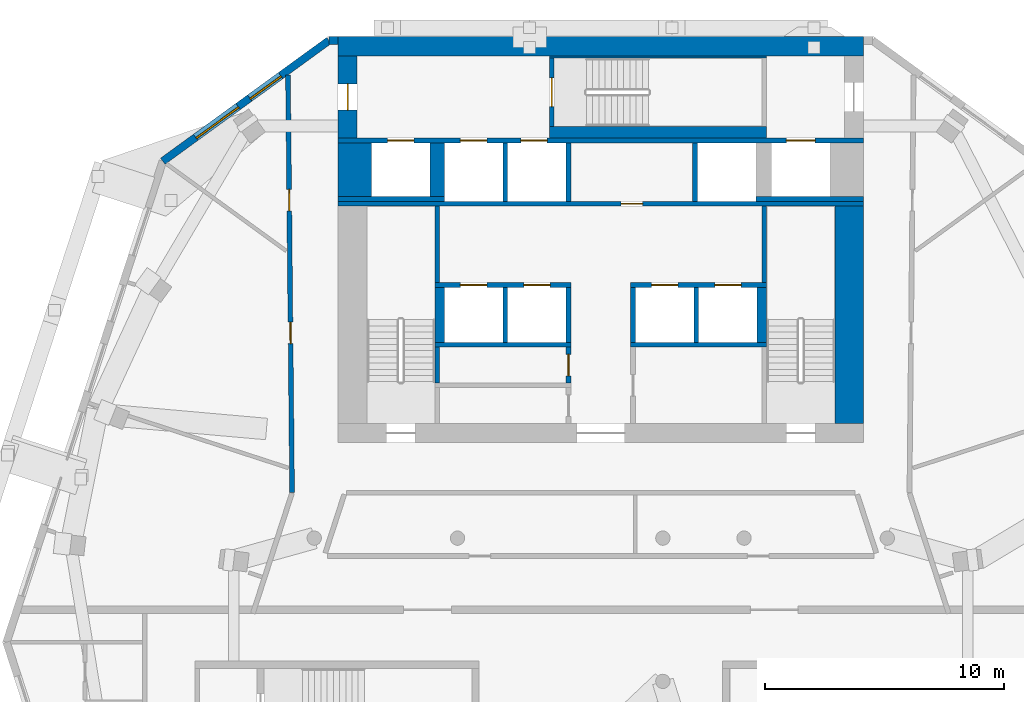
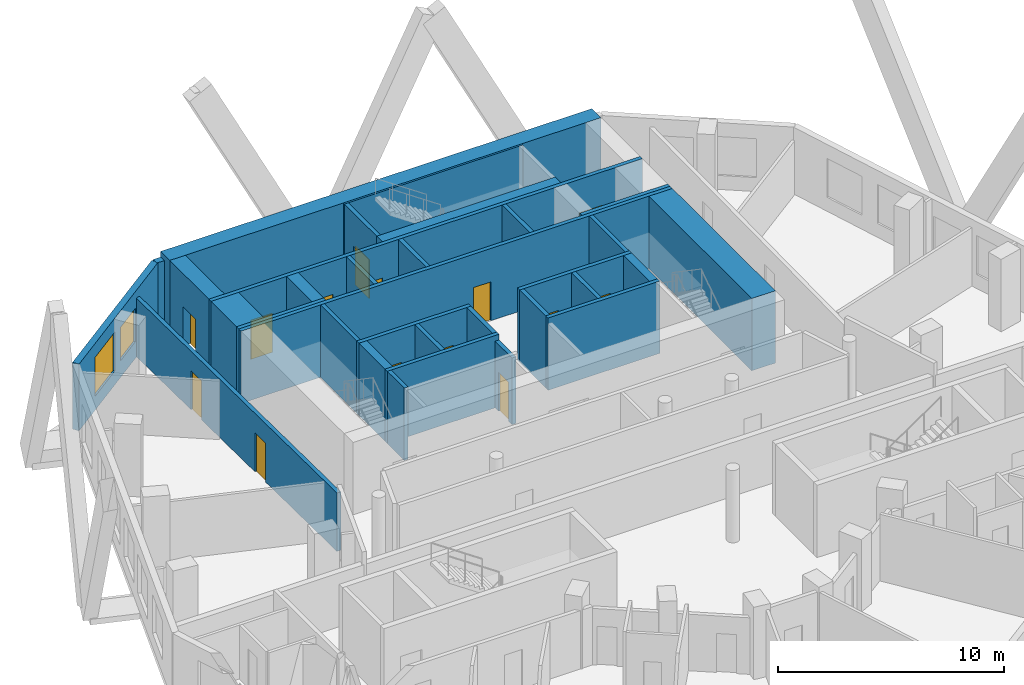
# One storey, part 7 of 10: 32 walls, 14 doors, 2 windows, 16 openings.
"""IFC4 building model written with IfcOpenShell, lengths in metres."""

from ifc_helpers import new_model, si_unit, direction, frame, frame_2d, origin, place, context, subcontext, project, spatial, rectangle, extrude, material, layer, layer_set, type_object, element, fill, save


model = new_model("IFC4")

# Units and contexts
model_context = context("Model", 3, precision=1e-05, world=origin(), true_north=direction((0.0, 1.0)))
body_context = subcontext(model_context, "Body", "Model", "MODEL_VIEW")
ifc_project = project(units=[si_unit("LENGTHUNIT", "METRE"), si_unit("AREAUNIT", "SQUARE_METRE"), si_unit("VOLUMEUNIT", "CUBIC_METRE"), si_unit("PLANEANGLEUNIT", "RADIAN"), si_unit("MASSUNIT", "GRAM", prefix="KILO")], contexts=[model_context])

# Site, building, storey
site_placement = place(None, origin())
site = spatial("IfcSite", under=ifc_project, at=site_placement, CompositionType="ELEMENT")
building_placement = place(site_placement, origin())
building = spatial("IfcBuilding", under=site, at=building_placement, Name="White Candle Pilgrim Tower", CompositionType="ELEMENT")
storey_placement = place(building_placement, frame((0.0, 0.0, 196.5)))
storey = spatial("IfcBuildingStorey", under=building, at=storey_placement, Name="L45", CompositionType="ELEMENT", Elevation=196.5)

# Walls
ifc_material_1 = material(Name="Concrete C50/60", Category="concrete")
ifc_layer_1 = layer(ifc_material_1, 1.39990234375)
ifc_layer_set_1 = layer_set([ifc_layer_1], Name="Core wall 1400 mm Concrete C50/60")
wall_type_1 = type_object("IfcWallType", Name="Core wall 1400 mm Concrete C50/60", PredefinedType="SHEAR", material=ifc_layer_set_1)
wall_1_placement = place(storey_placement, frame((59.699951171875, 81.300048828125, 0.0), z_axis=(0.0, 0.0, 1.0), x_axis=(0.0, 1.0, 0.0)))
element("IfcWall", 1, at=wall_1_placement, inside=storey, type_object=wall_type_1, Name="WL-L45-C39", PredefinedType="SHEAR", context=body_context, shape_type="SweptSolid", body=[
    extrude(rectangle(XDim=2.25, YDim=1.39990234375, at=frame_2d((1.125, 0.0))), origin(), (0.0, 0.0, 1.0), 3.89990234375),
])
ifc_layer_2 = layer(ifc_material_1, 0.199951171875)
ifc_layer_set_2 = layer_set([ifc_layer_2], Name="Core wall 200 mm Concrete C50/60")
wall_type_2 = type_object("IfcWallType", Name="Core wall 200 mm Concrete C50/60", PredefinedType="SHEAR", material=ifc_layer_set_2)
wall_2_placement = place(storey_placement, frame((59.0, 81.199951171875, 0.0), z_axis=(0.0, 0.0, 1.0), x_axis=(1.0, 0.0, 0.0)))
element("IfcWall", 2, at=wall_2_placement, inside=storey, type_object=wall_type_2, Name="WL-L45-C34", PredefinedType="SHEAR", context=body_context, shape_type="SweptSolid", body=[
    extrude(rectangle(XDim=4.449951171875, YDim=0.199951171875, at=frame_2d((2.22509765625, 0.0))), origin(), (0.0, 0.0, 1.0), 3.89990234375),
])
wall_3_placement = place(storey_placement, frame((76.5, 81.199951171875, 0.0), z_axis=(0.0, 0.0, 1.0), x_axis=(1.0, 0.0, 0.0)))
element("IfcWall", 3, at=wall_3_placement, inside=storey, type_object=wall_type_2, Name="WL-L45-C38", PredefinedType="SHEAR", context=body_context, shape_type="SweptSolid", body=[
    extrude(rectangle(XDim=4.5, YDim=0.199951171875, at=frame_2d((2.25, 0.0))), origin(), (0.0, 0.0, 1.0), 3.89990234375),
])

# Wall, openings, doors
wall_4_placement = place(storey_placement, frame((59.0, 83.64990234375, 0.0), z_axis=(0.0, 0.0, 1.0), x_axis=(1.0, 0.0, 0.0)))
wall_4 = element("IfcWall", 4, at=wall_4_placement, inside=storey, type_object=wall_type_2, Name="WL-L45-C43", PredefinedType="SHEAR", context=body_context, shape_type="SweptSolid", body=[
    extrude(rectangle(XDim=22.0, YDim=0.199951171875, at=frame_2d((11.0, 0.0))), origin(), (0.0, 0.0, 1.0), 3.89990234375),
])
opening_1_placement = place(wall_4_placement, frame((5.125, 0.0, 0.0)))
opening_1 = element("IfcOpeningElement", 5, at=opening_1_placement, cuts=wall_4, Name="Opening T14-018", PredefinedType="OPENING", context=body_context, shape_type="SweptSolid", body=[
    extrude(rectangle(XDim=1.10009765625, YDim=2.10009765625, at=frame_2d((0.550048828125, 1.050048828125))), frame((0.0, 0.10986328125, 0.0), z_axis=(0.0, -1.0, 0.0), x_axis=(1.0, 0.0, 0.0)), (0.0, 0.0, 1.0), 0.219970703125),
])
opening_2_placement = place(wall_4_placement, frame((7.64990234375, 0.0, 0.0)))
opening_2 = element("IfcOpeningElement", 6, at=opening_2_placement, cuts=wall_4, Name="Opening T14-019", PredefinedType="OPENING", context=body_context, shape_type="SweptSolid", body=[
    extrude(rectangle(XDim=1.10009765625, YDim=2.10009765625, at=frame_2d((0.550048828125, 1.050048828125))), frame((0.0, 0.10986328125, 0.0), z_axis=(0.0, -1.0, 0.0), x_axis=(1.0, 0.0, 0.0)), (0.0, 0.0, 1.0), 0.219970703125),
])
opening_3_placement = place(wall_4_placement, frame((18.77490234375, 0.0, 0.0)))
opening_3 = element("IfcOpeningElement", 7, at=opening_3_placement, cuts=wall_4, Name="Opening T14-020", PredefinedType="OPENING", context=body_context, shape_type="SweptSolid", body=[
    extrude(rectangle(XDim=1.199951171875, YDim=2.10009765625, at=frame_2d((0.60009765625, 1.050048828125))), frame((0.0, 0.10986328125, 0.0), z_axis=(0.0, -1.0, 0.0), x_axis=(1.0, 0.0, 0.0)), (0.0, 0.0, 1.0), 0.219970703125),
])
opening_4_placement = place(wall_4_placement, frame((2.074951171875, 0.0, 0.0)))
opening_4 = element("IfcOpeningElement", 8, at=opening_4_placement, cuts=wall_4, Name="Opening T14-021", PredefinedType="OPENING", context=body_context, shape_type="SweptSolid", body=[
    extrude(rectangle(XDim=1.10009765625, YDim=2.10009765625, at=frame_2d((0.550048828125, 1.050048828125))), frame((0.0, 0.10986328125, 0.0), z_axis=(0.0, -1.0, 0.0), x_axis=(1.0, 0.0, 0.0)), (0.0, 0.0, 1.0), 0.219970703125),
])
ifc_material_2 = material(Name="Stainless steel", Category="steel")
door_type_1 = type_object("IfcDoorType", Name="Lift landing door 1100 x 2100 EI 60", OperationType="DOUBLE_DOOR_SLIDING", PredefinedType="DOOR", material=ifc_material_2)
door_1_placement = place(opening_1_placement, origin())
door_1 = element("IfcDoor", 9, at=door_1_placement, inside=storey, type_object=door_type_1, Name="Door T14-018", OperationType="DOUBLE_DOOR_SLIDING", OverallHeight=2.10009765625, OverallWidth=1.10009765625, PredefinedType="DOOR", context=body_context, shape_type="SweptSolid", body=[
    extrude(rectangle(XDim=1.10009765625, YDim=2.10009765625, at=frame_2d((0.550048828125, 1.050048828125))), frame((0.0, 0.02490234375, 0.0), z_axis=(0.0, -1.0, 0.0), x_axis=(1.0, 0.0, 0.0)), (0.0, 0.0, 1.0), 0.050048828125),
])
fill(opening_1, door_1)
door_2_placement = place(opening_2_placement, origin())
door_2 = element("IfcDoor", 10, at=door_2_placement, inside=storey, type_object=door_type_1, Name="Door T14-019", OperationType="DOUBLE_DOOR_SLIDING", OverallHeight=2.10009765625, OverallWidth=1.10009765625, PredefinedType="DOOR", context=body_context, shape_type="SweptSolid", body=[
    extrude(rectangle(XDim=1.10009765625, YDim=2.10009765625, at=frame_2d((0.550048828125, 1.050048828125))), frame((0.0, 0.02490234375, 0.0), z_axis=(0.0, -1.0, 0.0), x_axis=(1.0, 0.0, 0.0)), (0.0, 0.0, 1.0), 0.050048828125),
])
fill(opening_2, door_2)
door_3_placement = place(opening_4_placement, origin())
door_3 = element("IfcDoor", 11, at=door_3_placement, inside=storey, type_object=door_type_1, Name="Door T14-021", OperationType="DOUBLE_DOOR_SLIDING", OverallHeight=2.10009765625, OverallWidth=1.10009765625, PredefinedType="DOOR", context=body_context, shape_type="SweptSolid", body=[
    extrude(rectangle(XDim=1.10009765625, YDim=2.10009765625, at=frame_2d((0.550048828125, 1.050048828125))), frame((0.0, 0.02490234375, 0.0), z_axis=(0.0, -1.0, 0.0), x_axis=(1.0, 0.0, 0.0)), (0.0, 0.0, 1.0), 0.050048828125),
])
fill(opening_4, door_3)
door_type_2 = type_object("IfcDoorType", Name="Lift landing door 1200 x 2100 E 60", OperationType="DOUBLE_DOOR_SLIDING", PredefinedType="DOOR", material=ifc_material_2)
door_4_placement = place(opening_3_placement, origin())
door_4 = element("IfcDoor", 12, at=door_4_placement, inside=storey, type_object=door_type_2, Name="Door T14-020", OperationType="DOUBLE_DOOR_SLIDING", OverallHeight=2.10009765625, OverallWidth=1.199951171875, PredefinedType="DOOR", context=body_context, shape_type="SweptSolid", body=[
    extrude(rectangle(XDim=1.199951171875, YDim=2.10009765625, at=frame_2d((0.60009765625, 1.050048828125))), frame((0.0, 0.02490234375, 0.0), z_axis=(0.0, -1.0, 0.0), x_axis=(1.0, 0.0, 0.0)), (0.0, 0.0, 1.0), 0.050048828125),
])
fill(opening_3, door_4)

# Wall, opening, door
ifc_layer_3 = layer(ifc_material_1, 0.800048828125)
ifc_layer_set_3 = layer_set([ifc_layer_3], Name="Core wall 800 mm Concrete C50/60")
wall_type_3 = type_object("IfcWallType", Name="Core wall 800 mm Concrete C50/60", PredefinedType="SHEAR", material=ifc_layer_set_3)
wall_5_placement = place(storey_placement, frame((59.39990234375, 83.75, 0.0), z_axis=(0.0, 0.0, 1.0), x_axis=(0.0, 1.0, 0.0)))
wall_5 = element("IfcWall", 13, at=wall_5_placement, inside=storey, type_object=wall_type_3, Name="WL-L45-C44", PredefinedType="SHEAR", context=body_context, shape_type="SweptSolid", body=[
    extrude(rectangle(XDim=3.449951171875, YDim=0.800048828125, at=frame_2d((1.72509765625, 0.0))), origin(), (0.0, 0.0, 1.0), 3.89990234375),
])
opening_5_placement = place(wall_5_placement, frame((1.175048828125, 0.0, 0.0)))
opening_5 = element("IfcOpeningElement", 14, at=opening_5_placement, cuts=wall_5, Name="Opening T14-008", PredefinedType="OPENING", context=body_context, shape_type="SweptSolid", body=[
    extrude(rectangle(XDim=1.10009765625, YDim=2.10009765625, at=frame_2d((0.550048828125, 1.050048828125))), frame((0.0, 0.409912109375, 0.0), z_axis=(0.0, -1.0, 0.0), x_axis=(1.0, 0.0, 0.0)), (0.0, 0.0, 1.0), 0.820068359375),
])
ifc_material_3 = material(Name="Steel door leaf", Category="steel")
door_type_3 = type_object("IfcDoorType", Name="Fire door 1100 x 2100 EI 60", OperationType="NOTDEFINED", PredefinedType="DOOR", material=ifc_material_3)
door_5_placement = place(opening_5_placement, origin())
door_5 = element("IfcDoor", 15, at=door_5_placement, inside=storey, type_object=door_type_3, Name="Door T14-008", OperationType="SINGLE_SWING_RIGHT", OverallHeight=2.10009765625, OverallWidth=1.10009765625, PredefinedType="DOOR", context=body_context, shape_type="SweptSolid", body=[
    extrude(rectangle(XDim=1.10009765625, YDim=2.10009765625, at=frame_2d((0.550048828125, 1.050048828125))), frame((0.0, 0.02490234375, 0.0), z_axis=(0.0, -1.0, 0.0), x_axis=(1.0, 0.0, 0.0)), (0.0, 0.0, 1.0), 0.050048828125),
])
fill(opening_5, door_5)

# Wall
wall_6_placement = place(storey_placement, frame((59.0, 87.60009765625, 0.0), z_axis=(0.0, 0.0, 1.0), x_axis=(1.0, 0.0, 0.0)))
element("IfcWall", 16, at=wall_6_placement, inside=storey, type_object=wall_type_3, Name="WL-L45-C50", PredefinedType="SHEAR", context=body_context, shape_type="SweptSolid", body=[
    extrude(rectangle(XDim=22.0, YDim=0.800048828125, at=frame_2d((11.0, 0.0))), origin(), (0.0, 0.0, 1.0), 3.89990234375),
])

# Wall, openings, doors
ifc_material_4 = material(Name="Gypsum board on steel studs", Category="steel")
ifc_layer_4 = layer(ifc_material_4, 0.199951171875)
ifc_layer_set_4 = layer_set([ifc_layer_4], Name="Corridor wall 200 mm EI 45")
wall_type_4 = type_object("IfcWallType", Name="Corridor wall 200 mm EI 45", PredefinedType="PARTITIONING", material=ifc_layer_set_4)
wall_7_placement = place(storey_placement, frame((57.072021484375, 68.916259765625, 0.0), z_axis=(0.0, 0.0, 1.0), x_axis=(-0.009846166448, 0.999951525328, 0.0)))
wall_7 = element("IfcWall", 17, at=wall_7_placement, inside=storey, type_object=wall_type_4, Name="WL-L45-P003", PredefinedType="PARTITIONING", context=body_context, shape_type="SweptSolid", body=[
    extrude(rectangle(XDim=17.480712890625, YDim=0.199951171875, at=frame_2d((8.740234375, 0.0))), origin(), (0.0, 0.0, 1.0), 3.14990234375),
])
opening_6_placement = place(wall_7_placement, frame((6.227294921875, 0.0, 0.0)))
opening_6 = element("IfcOpeningElement", 18, at=opening_6_placement, cuts=wall_7, Name="Opening T14-119", PredefinedType="OPENING", context=body_context, shape_type="SweptSolid", body=[
    extrude(rectangle(XDim=0.89990234375, YDim=2.10009765625, at=frame_2d((0.449951171875, 1.050048828125))), frame((0.0, 0.10986328125, 0.0), z_axis=(0.0, -1.0, 0.0), x_axis=(1.0, 0.0, 0.0)), (0.0, 0.0, 1.0), 0.219970703125),
])
opening_7_placement = place(wall_7_placement, frame((11.78662109375, 0.0, 0.0)))
opening_7 = element("IfcOpeningElement", 19, at=opening_7_placement, cuts=wall_7, Name="Opening T14-120", PredefinedType="OPENING", context=body_context, shape_type="SweptSolid", body=[
    extrude(rectangle(XDim=0.89990234375, YDim=2.10009765625, at=frame_2d((0.449951171875, 1.050048828125))), frame((0.0, 0.10986328125, 0.0), z_axis=(0.0, -1.0, 0.0), x_axis=(1.0, 0.0, 0.0)), (0.0, 0.0, 1.0), 0.219970703125),
])
door_type_4 = type_object("IfcDoorType", Name="Fire door 900 x 2100 EI 30", OperationType="NOTDEFINED", PredefinedType="DOOR", material=ifc_material_3)
door_6_placement = place(opening_6_placement, origin())
door_6 = element("IfcDoor", 20, at=door_6_placement, inside=storey, type_object=door_type_4, Name="Door T14-119", OperationType="SINGLE_SWING_LEFT", OverallHeight=2.10009765625, OverallWidth=0.89990234375, PredefinedType="DOOR", context=body_context, shape_type="SweptSolid", body=[
    extrude(rectangle(XDim=0.89990234375, YDim=2.10009765625, at=frame_2d((0.449951171875, 1.050048828125))), frame((0.0, 0.02490234375, 0.0), z_axis=(0.0, -1.0, 0.0), x_axis=(1.0, 0.0, 0.0)), (0.0, 0.0, 1.0), 0.050048828125),
])
fill(opening_6, door_6)
door_7_placement = place(opening_7_placement, origin())
door_7 = element("IfcDoor", 21, at=door_7_placement, inside=storey, type_object=door_type_4, Name="Door T14-120", OperationType="SINGLE_SWING_RIGHT", OverallHeight=2.10009765625, OverallWidth=0.89990234375, PredefinedType="DOOR", context=body_context, shape_type="SweptSolid", body=[
    extrude(rectangle(XDim=0.89990234375, YDim=2.10009765625, at=frame_2d((0.449951171875, 1.050048828125))), frame((0.0, 0.02490234375, 0.0), z_axis=(0.0, -1.0, 0.0), x_axis=(1.0, 0.0, 0.0)), (0.0, 0.0, 1.0), 0.050048828125),
])
fill(opening_7, door_7)

# Wall
ifc_material_5 = material(Name="Precast concrete C40/50", Category="concrete")
ifc_layer_5 = layer(ifc_material_5, 0.320068359375)
ifc_layer_set_5 = layer_set([ifc_layer_5], Name="Facade wall EW1 precast concrete C40/50 pier wall with timber-lined reveals")
wall_type_5 = type_object("IfcWallType", Name="Facade wall EW1 precast concrete C40/50 pier wall with timber-lined reveals", PredefinedType="SOLIDWALL", material=ifc_layer_set_5)
wall_8_placement = place(storey_placement, frame((59.0, 87.840087890625, 0.0), z_axis=(0.0, 0.0, 1.0), x_axis=(-1.0, 0.0, 0.0)))
element("IfcWall", 22, at=wall_8_placement, inside=storey, type_object=wall_type_5, Name="Facade wall L45 N", PredefinedType="SOLIDWALL", context=body_context, shape_type="SweptSolid", body=[
    extrude(rectangle(XDim=0.385009765625, YDim=0.320068359375, at=frame_2d((0.1923828125, 0.0))), origin(), (0.0, 0.0, 1.0), 3.60009765625),
])

# Wall, openings, windows
wall_9_placement = place(storey_placement, frame((58.614990234375, 87.840087890625, 0.0), z_axis=(0.0, 0.0, 1.0), x_axis=(-0.809010998506, -0.58779350481, 0.0)))
wall_9 = element("IfcWall", 23, at=wall_9_placement, inside=storey, type_object=wall_type_5, Name="Facade wall L45 NW chamfer", PredefinedType="SOLIDWALL", context=body_context, shape_type="SweptSolid", body=[
    extrude(rectangle(XDim=8.599365234375, YDim=0.320068359375, at=frame_2d((4.2998046875, 0.0))), origin(), (0.0, 0.0, 1.0), 3.60009765625),
])
opening_8_placement = place(wall_9_placement, frame((2.499755859375, 0.0, 0.89990234375)))
opening_8 = element("IfcOpeningElement", 24, at=opening_8_placement, cuts=wall_9, Name="Opening W2", PredefinedType="OPENING", context=body_context, shape_type="SweptSolid", body=[
    extrude(rectangle(XDim=1.60009765625, YDim=1.800048828125, at=frame_2d((0.800048828125, 0.89990234375))), frame((0.0, 0.169921875, 0.0), z_axis=(0.0, -1.0, 0.0), x_axis=(1.0, 0.0, 0.0)), (0.0, 0.0, 1.0), 0.340087890625),
])
opening_9_placement = place(wall_9_placement, frame((4.69970703125, 0.0, 0.75)))
opening_9 = element("IfcOpeningElement", 25, at=opening_9_placement, cuts=wall_9, Name="Opening W4", PredefinedType="OPENING", context=body_context, shape_type="SweptSolid", body=[
    extrude(rectangle(XDim=2.199951171875, YDim=2.10009765625, at=frame_2d((1.10009765625, 1.050048828125))), frame((0.0, 0.169921875, 0.0), z_axis=(0.0, -1.0, 0.0), x_axis=(1.0, 0.0, 0.0)), (0.0, 0.0, 1.0), 0.340087890625),
])
ifc_material_6 = material(Name="Timber frame with triple glazing", Category="wood")
window_type_1 = type_object("IfcWindowType", Name="Window W2 1600x1800 timber frame triple glazing", PartitioningType="SINGLE_PANEL", PredefinedType="WINDOW", material=ifc_material_6)
window_1_placement = place(opening_8_placement, origin())
window_1 = element("IfcWindow", 26, at=window_1_placement, inside=storey, type_object=window_type_1, Name="Window W2 L45 NW chamfer 1", OverallHeight=1.800048828125, OverallWidth=1.60009765625, PartitioningType="SINGLE_PANEL", PredefinedType="WINDOW", context=body_context, shape_type="SweptSolid", body=[
    extrude(rectangle(XDim=1.60009765625, YDim=1.800048828125, at=frame_2d((0.800048828125, 0.89990234375))), frame((0.0, 0.070068359375, 0.0), z_axis=(0.0, -1.0, 0.0), x_axis=(1.0, 0.0, 0.0)), (0.0, 0.0, 1.0), 0.06005859375),
])
fill(opening_8, window_1)
window_type_2 = type_object("IfcWindowType", Name="Window W4 2200x2100 timber frame triple glazing", PartitioningType="SINGLE_PANEL", PredefinedType="WINDOW", material=ifc_material_6)
window_2_placement = place(opening_9_placement, origin())
window_2 = element("IfcWindow", 27, at=window_2_placement, inside=storey, type_object=window_type_2, Name="Window W4 L45 NW chamfer 2", OverallHeight=2.10009765625, OverallWidth=2.199951171875, PartitioningType="SINGLE_PANEL", PredefinedType="WINDOW", context=body_context, shape_type="SweptSolid", body=[
    extrude(rectangle(XDim=2.199951171875, YDim=2.10009765625, at=frame_2d((1.10009765625, 1.050048828125))), frame((0.0, 0.070068359375, 0.0), z_axis=(0.0, -1.0, 0.0), x_axis=(1.0, 0.0, 0.0)), (0.0, 0.0, 1.0), 0.06005859375),
])
fill(opening_9, window_2)

# Wall, opening, door
ifc_layer_6 = layer(ifc_material_4, 0.199951171875)
ifc_layer_set_6 = layer_set([ifc_layer_6], Name="Lobby wall 200 mm EI 60")
wall_type_6 = type_object("IfcWallType", Name="Lobby wall 200 mm EI 60", PredefinedType="PARTITIONING", material=ifc_layer_set_6)
wall_10_placement = place(storey_placement, frame((68.64990234375, 73.5, 0.0), z_axis=(0.0, 0.0, 1.0), x_axis=(0.0, 1.0, 0.0)))
wall_10 = element("IfcWall", 28, at=wall_10_placement, inside=storey, type_object=wall_type_6, Name="WL-L45-C20", PredefinedType="PARTITIONING", context=body_context, shape_type="SweptSolid", body=[
    extrude(rectangle(XDim=1.5, YDim=0.199951171875, at=frame_2d((0.75, 0.0))), origin(), (0.0, 0.0, 1.0), 3.60009765625),
])
opening_10_placement = place(wall_10_placement, frame((0.300048828125, 0.0, 0.0)))
opening_10 = element("IfcOpeningElement", 29, at=opening_10_placement, cuts=wall_10, Name="Opening T14-006", PredefinedType="OPENING", context=body_context, shape_type="SweptSolid", body=[
    extrude(rectangle(XDim=0.89990234375, YDim=2.10009765625, at=frame_2d((0.449951171875, 1.050048828125))), frame((0.0, 0.10986328125, 0.0), z_axis=(0.0, -1.0, 0.0), x_axis=(1.0, 0.0, 0.0)), (0.0, 0.0, 1.0), 0.219970703125),
])
door_8_placement = place(opening_10_placement, origin())
door_8 = element("IfcDoor", 30, at=door_8_placement, inside=storey, type_object=door_type_4, Name="Door T14-006", OperationType="SINGLE_SWING_RIGHT", OverallHeight=2.10009765625, OverallWidth=0.89990234375, PredefinedType="DOOR", context=body_context, shape_type="SweptSolid", body=[
    extrude(rectangle(XDim=0.89990234375, YDim=2.10009765625, at=frame_2d((0.449951171875, 1.050048828125))), frame((0.0, 0.02490234375, 0.0), z_axis=(0.0, -1.0, 0.0), x_axis=(1.0, 0.0, 0.0)), (0.0, 0.0, 1.0), 0.050048828125),
])
fill(opening_10, door_8)

# Walls
ifc_layer_7 = layer(ifc_material_1, 0.199951171875)
ifc_layer_set_7 = layer_set([ifc_layer_7], Name="Shaft wall 200 mm Concrete C50/60")
wall_type_7 = type_object("IfcWallType", Name="Shaft wall 200 mm Concrete C50/60", PredefinedType="SHEAR", material=ifc_layer_set_7)
for number, where, z_axis, x_axis, name in (
    (31, (66.0, 75.199951171875, 0.0), (0.0, 0.0, 1.0), (0.0, 1.0, 0.0), "WL-L45-C24"),
    (32, (68.64990234375, 75.199951171875, 0.0), (0.0, 0.0, 1.0), (0.0, 1.0, 0.0), "WL-L45-C25"),
    (33, (71.35009765625, 75.199951171875, 0.0), (0.0, 0.0, 1.0), (0.0, 1.0, 0.0), "WL-L45-C26"),
    (34, (74.0, 75.199951171875, 0.0), (0.0, 0.0, 1.0), (0.0, 1.0, 0.0), "WL-L45-C27"),
):
    element("IfcWall", number, at=place(storey_placement, frame(where, z_axis=z_axis, x_axis=x_axis)), inside=storey, type_object=wall_type_7, Name=name, PredefinedType="SHEAR", context=body_context, shape_type="SweptSolid", body=[
        extrude(rectangle(XDim=2.300048828125, YDim=0.199951171875, at=frame_2d((1.14990234375, 0.0))), origin(), (0.0, 0.0, 1.0), 3.89990234375),
    ])
for number, where, z_axis, x_axis, name in (
    (35, (66.0, 81.10009765625, 0.0), (0.0, 0.0, 1.0), (0.0, 1.0, 0.0), "WL-L45-C35"),
    (36, (68.64990234375, 81.10009765625, 0.0), (0.0, 0.0, 1.0), (0.0, 1.0, 0.0), "WL-L45-C36"),
    (37, (73.949951171875, 81.10009765625, 0.0), (0.0, 0.0, 1.0), (0.0, 1.0, 0.0), "WL-L45-C37"),
):
    element("IfcWall", number, at=place(storey_placement, frame(where, z_axis=z_axis, x_axis=x_axis)), inside=storey, type_object=wall_type_7, Name=name, PredefinedType="SHEAR", context=body_context, shape_type="SweptSolid", body=[
        extrude(rectangle(XDim=2.449951171875, YDim=0.199951171875, at=frame_2d((1.22509765625, 0.0))), origin(), (0.0, 0.0, 1.0), 3.89990234375),
    ])
ifc_layer_8 = layer(ifc_material_1, 0.60009765625)
ifc_layer_set_8 = layer_set([ifc_layer_8], Name="Shaft wall 600 mm Concrete C50/60")
wall_type_8 = type_object("IfcWallType", Name="Shaft wall 600 mm Concrete C50/60", PredefinedType="SHEAR", material=ifc_layer_set_8)
wall_11_placement = place(storey_placement, frame((63.14990234375, 81.300048828125, 0.0), z_axis=(0.0, 0.0, 1.0), x_axis=(0.0, 1.0, 0.0)))
element("IfcWall", 38, at=wall_11_placement, inside=storey, type_object=wall_type_8, Name="WL-L45-C40", PredefinedType="SHEAR", context=body_context, shape_type="SweptSolid", body=[
    extrude(rectangle(XDim=2.25, YDim=0.60009765625, at=frame_2d((1.125, 0.0))), origin(), (0.0, 0.0, 1.0), 3.89990234375),
])
ifc_layer_9 = layer(ifc_material_1, 0.10009765625)
ifc_layer_set_9 = layer_set([ifc_layer_9], Name="Stair shaft wall 100 mm Concrete C50/60")
wall_type_9 = type_object("IfcWallType", Name="Stair shaft wall 100 mm Concrete C50/60", PredefinedType="SHEAR", material=ifc_layer_set_9)
wall_12_placement = place(storey_placement, frame((67.85009765625, 87.14990234375, 0.0), z_axis=(0.0, 0.0, 1.0), x_axis=(1.0, 0.0, 0.0)))
element("IfcWall", 39, at=wall_12_placement, inside=storey, type_object=wall_type_9, Name="WL-L45-C49", PredefinedType="SHEAR", context=body_context, shape_type="SweptSolid", body=[
    extrude(rectangle(XDim=9.099853515625, YDim=0.10009765625, at=frame_2d((4.5498046875, 0.0))), origin(), (0.0, 0.0, 1.0), 3.89990234375),
])
ifc_layer_10 = layer(ifc_material_1, 1.199951171875)
ifc_layer_set_10 = layer_set([ifc_layer_10], Name="Stair shaft wall 1200 mm Concrete C50/60")
wall_type_10 = type_object("IfcWallType", Name="Stair shaft wall 1200 mm Concrete C50/60", PredefinedType="SHEAR", material=ifc_layer_set_10)
wall_13_placement = place(storey_placement, frame((80.39990234375, 71.800048828125, 0.0), z_axis=(0.0, 0.0, 1.0), x_axis=(0.0, 1.0, 0.0)))
element("IfcWall", 40, at=wall_13_placement, inside=storey, type_object=wall_type_10, Name="WL-L45-C17", PredefinedType="SHEAR", context=body_context, shape_type="SweptSolid", body=[
    extrude(rectangle(XDim=9.099853515625, YDim=1.199951171875, at=frame_2d((4.5498046875, 0.0))), origin(), (0.0, 0.0, 1.0), 3.89990234375),
])
ifc_layer_11 = layer(ifc_material_1, 0.199951171875)
ifc_layer_set_11 = layer_set([ifc_layer_11], Name="Stair shaft wall 200 mm Concrete C50/60")
wall_type_11 = type_object("IfcWallType", Name="Stair shaft wall 200 mm Concrete C50/60", PredefinedType="SHEAR", material=ifc_layer_set_11)
wall_14_placement = place(storey_placement, frame((63.14990234375, 73.5, 0.0), z_axis=(0.0, 0.0, 1.0), x_axis=(0.0, 1.0, 0.0)))
element("IfcWall", 41, at=wall_14_placement, inside=storey, type_object=wall_type_11, Name="WL-L45-C19", PredefinedType="SHEAR", context=body_context, shape_type="SweptSolid", body=[
    extrude(rectangle(XDim=1.5, YDim=0.199951171875, at=frame_2d((0.75, 0.0))), origin(), (0.0, 0.0, 1.0), 3.89990234375),
])
for number, where, z_axis, x_axis, name in (
    (42, (63.050048828125, 75.10009765625, 0.0), (0.0, 0.0, 1.0), (1.0, 0.0, 0.0), "WL-L45-C21"),
    (43, (71.25, 75.10009765625, 0.0), (0.0, 0.0, 1.0), (1.0, 0.0, 0.0), "WL-L45-C22"),
):
    element("IfcWall", number, at=place(storey_placement, frame(where, z_axis=z_axis, x_axis=x_axis)), inside=storey, type_object=wall_type_11, Name=name, PredefinedType="SHEAR", context=body_context, shape_type="SweptSolid", body=[
        extrude(rectangle(XDim=5.699951171875, YDim=0.199951171875, at=frame_2d((2.85009765625, 0.0))), origin(), (0.0, 0.0, 1.0), 3.89990234375),
    ])

# Wall, openings, doors
wall_15_placement = place(storey_placement, frame((63.050048828125, 77.60009765625, 0.0), z_axis=(0.0, 0.0, 1.0), x_axis=(1.0, 0.0, 0.0)))
wall_15 = element("IfcWall", 44, at=wall_15_placement, inside=storey, type_object=wall_type_11, Name="WL-L45-C29", PredefinedType="SHEAR", context=body_context, shape_type="SweptSolid", body=[
    extrude(rectangle(XDim=5.699951171875, YDim=0.199951171875, at=frame_2d((2.85009765625, 0.0))), origin(), (0.0, 0.0, 1.0), 3.89990234375),
])
opening_11_placement = place(wall_15_placement, frame((1.074951171875, 0.0, 0.0)))
opening_11 = element("IfcOpeningElement", 45, at=opening_11_placement, cuts=wall_15, Name="Opening T14-014", PredefinedType="OPENING", context=body_context, shape_type="SweptSolid", body=[
    extrude(rectangle(XDim=1.10009765625, YDim=2.10009765625, at=frame_2d((0.550048828125, 1.050048828125))), frame((0.0, 0.10986328125, 0.0), z_axis=(0.0, -1.0, 0.0), x_axis=(1.0, 0.0, 0.0)), (0.0, 0.0, 1.0), 0.219970703125),
])
opening_12_placement = place(wall_15_placement, frame((3.72509765625, 0.0, 0.0)))
opening_12 = element("IfcOpeningElement", 46, at=opening_12_placement, cuts=wall_15, Name="Opening T14-015", PredefinedType="OPENING", context=body_context, shape_type="SweptSolid", body=[
    extrude(rectangle(XDim=1.10009765625, YDim=2.10009765625, at=frame_2d((0.550048828125, 1.050048828125))), frame((0.0, 0.10986328125, 0.0), z_axis=(0.0, -1.0, 0.0), x_axis=(1.0, 0.0, 0.0)), (0.0, 0.0, 1.0), 0.219970703125),
])
door_type_5 = type_object("IfcDoorType", Name="Lift landing door 1100 x 2100 E 60", OperationType="DOUBLE_DOOR_SLIDING", PredefinedType="DOOR", material=ifc_material_2)
door_9_placement = place(opening_11_placement, origin())
door_9 = element("IfcDoor", 47, at=door_9_placement, inside=storey, type_object=door_type_5, Name="Door T14-014", OperationType="DOUBLE_DOOR_SLIDING", OverallHeight=2.10009765625, OverallWidth=1.10009765625, PredefinedType="DOOR", context=body_context, shape_type="SweptSolid", body=[
    extrude(rectangle(XDim=1.10009765625, YDim=2.10009765625, at=frame_2d((0.550048828125, 1.050048828125))), frame((0.0, 0.02490234375, 0.0), z_axis=(0.0, -1.0, 0.0), x_axis=(1.0, 0.0, 0.0)), (0.0, 0.0, 1.0), 0.050048828125),
])
fill(opening_11, door_9)
door_10_placement = place(opening_12_placement, origin())
door_10 = element("IfcDoor", 48, at=door_10_placement, inside=storey, type_object=door_type_5, Name="Door T14-015", OperationType="DOUBLE_DOOR_SLIDING", OverallHeight=2.10009765625, OverallWidth=1.10009765625, PredefinedType="DOOR", context=body_context, shape_type="SweptSolid", body=[
    extrude(rectangle(XDim=1.10009765625, YDim=2.10009765625, at=frame_2d((0.550048828125, 1.050048828125))), frame((0.0, 0.02490234375, 0.0), z_axis=(0.0, -1.0, 0.0), x_axis=(1.0, 0.0, 0.0)), (0.0, 0.0, 1.0), 0.050048828125),
])
fill(opening_12, door_10)

wall_16_placement = place(storey_placement, frame((71.25, 77.60009765625, 0.0), z_axis=(0.0, 0.0, 1.0), x_axis=(1.0, 0.0, 0.0)))
wall_16 = element("IfcWall", 49, at=wall_16_placement, inside=storey, type_object=wall_type_11, Name="WL-L45-C30", PredefinedType="SHEAR", context=body_context, shape_type="SweptSolid", body=[
    extrude(rectangle(XDim=5.699951171875, YDim=0.199951171875, at=frame_2d((2.85009765625, 0.0))), origin(), (0.0, 0.0, 1.0), 3.89990234375),
])
opening_13_placement = place(wall_16_placement, frame((0.875, 0.0, 0.0)))
opening_13 = element("IfcOpeningElement", 50, at=opening_13_placement, cuts=wall_16, Name="Opening T14-016", PredefinedType="OPENING", context=body_context, shape_type="SweptSolid", body=[
    extrude(rectangle(XDim=1.10009765625, YDim=2.10009765625, at=frame_2d((0.550048828125, 1.050048828125))), frame((0.0, 0.10986328125, 0.0), z_axis=(0.0, -1.0, 0.0), x_axis=(1.0, 0.0, 0.0)), (0.0, 0.0, 1.0), 0.219970703125),
])
opening_14_placement = place(wall_16_placement, frame((3.52490234375, 0.0, 0.0)))
opening_14 = element("IfcOpeningElement", 51, at=opening_14_placement, cuts=wall_16, Name="Opening T14-017", PredefinedType="OPENING", context=body_context, shape_type="SweptSolid", body=[
    extrude(rectangle(XDim=1.10009765625, YDim=2.10009765625, at=frame_2d((0.550048828125, 1.050048828125))), frame((0.0, 0.10986328125, 0.0), z_axis=(0.0, -1.0, 0.0), x_axis=(1.0, 0.0, 0.0)), (0.0, 0.0, 1.0), 0.219970703125),
])
door_11_placement = place(opening_13_placement, origin())
door_11 = element("IfcDoor", 52, at=door_11_placement, inside=storey, type_object=door_type_5, Name="Door T14-016", OperationType="DOUBLE_DOOR_SLIDING", OverallHeight=2.10009765625, OverallWidth=1.10009765625, PredefinedType="DOOR", context=body_context, shape_type="SweptSolid", body=[
    extrude(rectangle(XDim=1.10009765625, YDim=2.10009765625, at=frame_2d((0.550048828125, 1.050048828125))), frame((0.0, 0.02490234375, 0.0), z_axis=(0.0, -1.0, 0.0), x_axis=(1.0, 0.0, 0.0)), (0.0, 0.0, 1.0), 0.050048828125),
])
fill(opening_13, door_11)
door_12_placement = place(opening_14_placement, origin())
door_12 = element("IfcDoor", 53, at=door_12_placement, inside=storey, type_object=door_type_5, Name="Door T14-017", OperationType="DOUBLE_DOOR_SLIDING", OverallHeight=2.10009765625, OverallWidth=1.10009765625, PredefinedType="DOOR", context=body_context, shape_type="SweptSolid", body=[
    extrude(rectangle(XDim=1.10009765625, YDim=2.10009765625, at=frame_2d((0.550048828125, 1.050048828125))), frame((0.0, 0.02490234375, 0.0), z_axis=(0.0, -1.0, 0.0), x_axis=(1.0, 0.0, 0.0)), (0.0, 0.0, 1.0), 0.050048828125),
])
fill(opening_14, door_12)

# Walls
for number, where, z_axis, x_axis, name in (
    (54, (63.14990234375, 77.699951171875, 0.0), (0.0, 0.0, 1.0), (0.0, 1.0, 0.0), "WL-L45-C31"),
    (55, (76.85009765625, 77.699951171875, 0.0), (0.0, 0.0, 1.0), (0.0, 1.0, 0.0), "WL-L45-C32"),
):
    element("IfcWall", number, at=place(storey_placement, frame(where, z_axis=z_axis, x_axis=x_axis)), inside=storey, type_object=wall_type_11, Name=name, PredefinedType="SHEAR", context=body_context, shape_type="SweptSolid", body=[
        extrude(rectangle(XDim=3.199951171875, YDim=0.199951171875, at=frame_2d((1.60009765625, 0.0))), origin(), (0.0, 0.0, 1.0), 3.89990234375),
    ])

# Wall, opening, door
wall_17_placement = place(storey_placement, frame((59.0, 81.0, 0.0), z_axis=(0.0, 0.0, 1.0), x_axis=(1.0, 0.0, 0.0)))
wall_17 = element("IfcWall", 56, at=wall_17_placement, inside=storey, type_object=wall_type_11, Name="WL-L45-C33", PredefinedType="SHEAR", context=body_context, shape_type="SweptSolid", body=[
    extrude(rectangle(XDim=22.0, YDim=0.199951171875, at=frame_2d((11.0, 0.0))), origin(), (0.0, 0.0, 1.0), 3.89990234375),
])
opening_15_placement = place(wall_17_placement, frame((11.85009765625, 0.0, 0.0)))
opening_15 = element("IfcOpeningElement", 57, at=opening_15_placement, cuts=wall_17, Name="Opening T14-022", PredefinedType="OPENING", context=body_context, shape_type="SweptSolid", body=[
    extrude(rectangle(XDim=0.89990234375, YDim=2.10009765625, at=frame_2d((0.449951171875, 1.050048828125))), frame((0.0, 0.10986328125, 0.0), z_axis=(0.0, -1.0, 0.0), x_axis=(1.0, 0.0, 0.0)), (0.0, 0.0, 1.0), 0.219970703125),
])
door_13_placement = place(opening_15_placement, origin())
door_13 = element("IfcDoor", 58, at=door_13_placement, inside=storey, type_object=door_type_4, Name="Door T14-022", OperationType="SINGLE_SWING_RIGHT", OverallHeight=2.10009765625, OverallWidth=0.89990234375, PredefinedType="DOOR", context=body_context, shape_type="SweptSolid", body=[
    extrude(rectangle(XDim=0.89990234375, YDim=2.10009765625, at=frame_2d((0.449951171875, 1.050048828125))), frame((0.0, 0.02490234375, 0.0), z_axis=(0.0, -1.0, 0.0), x_axis=(1.0, 0.0, 0.0)), (0.0, 0.0, 1.0), 0.050048828125),
])
fill(opening_15, door_13)

wall_18_placement = place(storey_placement, frame((67.949951171875, 84.25, 0.0), z_axis=(0.0, 0.0, 1.0), x_axis=(0.0, 1.0, 0.0)))
wall_18 = element("IfcWall", 59, at=wall_18_placement, inside=storey, type_object=wall_type_11, Name="WL-L45-C47", PredefinedType="SHEAR", context=body_context, shape_type="SweptSolid", body=[
    extrude(rectangle(XDim=2.85009765625, YDim=0.199951171875, at=frame_2d((1.425048828125, 0.0))), origin(), (0.0, 0.0, 1.0), 3.89990234375),
])
opening_16_placement = place(wall_18_placement, frame((0.824951171875, 0.0, 0.0)))
opening_16 = element("IfcOpeningElement", 60, at=opening_16_placement, cuts=wall_18, Name="Opening T14-003", PredefinedType="OPENING", context=body_context, shape_type="SweptSolid", body=[
    extrude(rectangle(XDim=1.199951171875, YDim=2.10009765625, at=frame_2d((0.60009765625, 1.050048828125))), frame((0.0, 0.10986328125, 0.0), z_axis=(0.0, -1.0, 0.0), x_axis=(1.0, 0.0, 0.0)), (0.0, 0.0, 1.0), 0.219970703125),
])
door_type_6 = type_object("IfcDoorType", Name="Fire door 1200 x 2100 EI 60", OperationType="NOTDEFINED", PredefinedType="DOOR", material=ifc_material_3)
door_14_placement = place(opening_16_placement, frame((1.199951171875, 0.0, 0.0), z_axis=(0.0, 0.0, 1.0), x_axis=(-1.0, 0.0, 0.0)))
door_14 = element("IfcDoor", 61, at=door_14_placement, inside=storey, type_object=door_type_6, Name="Door T14-003", OperationType="SINGLE_SWING_RIGHT", OverallHeight=2.10009765625, OverallWidth=1.199951171875, PredefinedType="DOOR", context=body_context, shape_type="SweptSolid", body=[
    extrude(rectangle(XDim=1.199951171875, YDim=2.10009765625, at=frame_2d((0.60009765625, 1.050048828125))), frame((0.0, 0.02490234375, 0.0), z_axis=(0.0, -1.0, 0.0), x_axis=(1.0, 0.0, 0.0)), (0.0, 0.0, 1.0), 0.050048828125),
])
fill(opening_16, door_14)

# Walls
ifc_layer_12 = layer(ifc_material_1, 0.39990234375)
ifc_layer_set_12 = layer_set([ifc_layer_12], Name="Stair shaft wall 400 mm Concrete C50/60")
wall_type_12 = type_object("IfcWallType", Name="Stair shaft wall 400 mm Concrete C50/60", PredefinedType="SHEAR", material=ifc_layer_set_12)
for number, where, z_axis, x_axis, name in (
    (62, (63.25, 75.199951171875, 0.0), (0.0, 0.0, 1.0), (0.0, 1.0, 0.0), "WL-L45-C23"),
    (63, (76.75, 75.199951171875, 0.0), (0.0, 0.0, 1.0), (0.0, 1.0, 0.0), "WL-L45-C28"),
):
    element("IfcWall", number, at=place(storey_placement, frame(where, z_axis=z_axis, x_axis=x_axis)), inside=storey, type_object=wall_type_12, Name=name, PredefinedType="SHEAR", context=body_context, shape_type="SweptSolid", body=[
        extrude(rectangle(XDim=2.300048828125, YDim=0.39990234375, at=frame_2d((1.14990234375, 0.0))), origin(), (0.0, 0.0, 1.0), 3.89990234375),
    ])
ifc_layer_13 = layer(ifc_material_1, 0.5)
ifc_layer_set_13 = layer_set([ifc_layer_13], Name="Stair shaft wall 500 mm Concrete C50/60")
wall_type_13 = type_object("IfcWallType", Name="Stair shaft wall 500 mm Concrete C50/60", PredefinedType="SHEAR", material=ifc_layer_set_13)
wall_19_placement = place(storey_placement, frame((67.85009765625, 84.0, 0.0), z_axis=(0.0, 0.0, 1.0), x_axis=(1.0, 0.0, 0.0)))
element("IfcWall", 64, at=wall_19_placement, inside=storey, type_object=wall_type_13, Name="WL-L45-C45", PredefinedType="SHEAR", context=body_context, shape_type="SweptSolid", body=[
    extrude(rectangle(XDim=9.099853515625, YDim=0.5, at=frame_2d((4.5498046875, 0.0))), origin(), (0.0, 0.0, 1.0), 3.89990234375),
])

save(model, "model.ifc")
